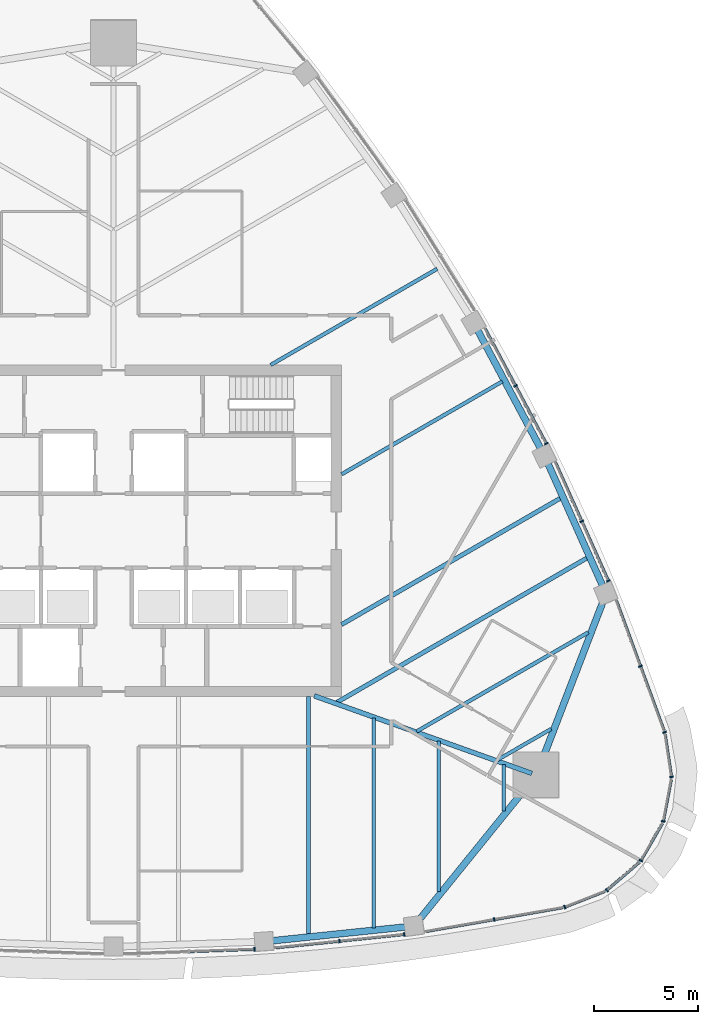
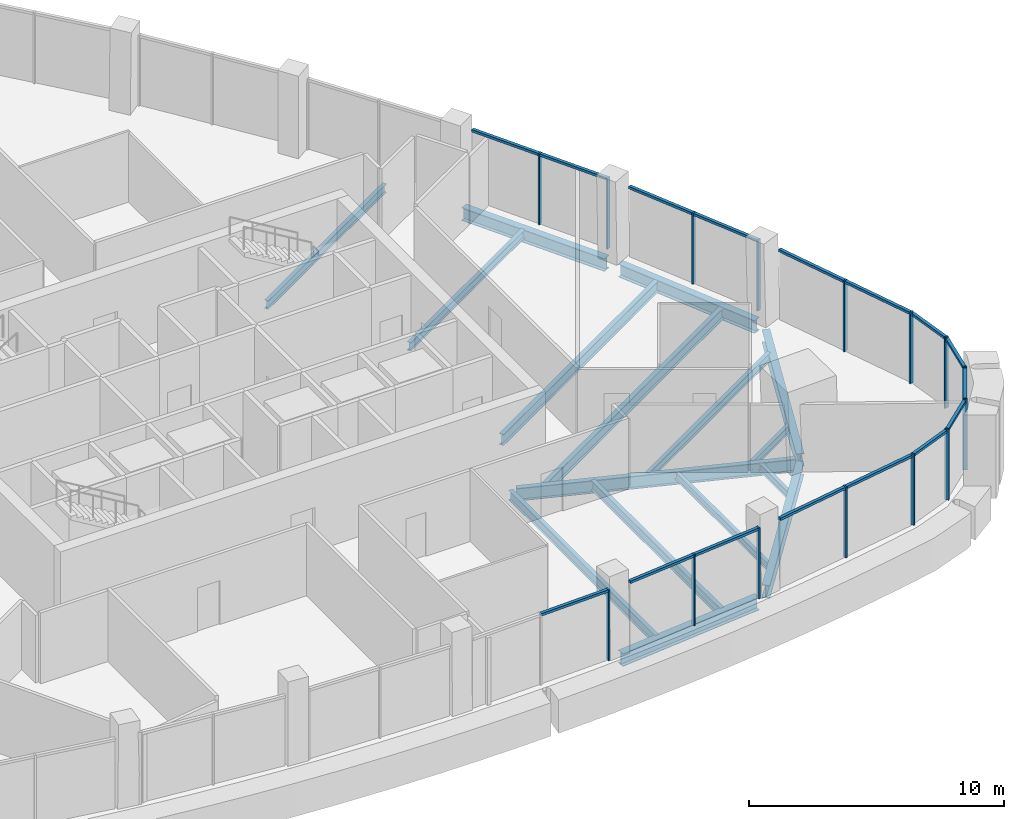
# One storey, part 4 of 15: 31 members, 16 beams, 11 elements without a shape of their own.
"""IFC4 building model written with IfcOpenShell, lengths in metres."""

from ifc_helpers import new_model, si_unit, direction, frame, origin, origin_2d, place, context, subcontext, project, spatial, rectangle, i_section, extrude, material, layer, layer_set, material_profile, profile_set, type_object, element, aggregate, save


model = new_model("IFC4")

# Units and contexts
model_context = context("Model", 3, precision=1e-05, world=origin(), true_north=direction((0.0, 1.0)))
body_context = subcontext(model_context, "Body", "Model", "MODEL_VIEW")
ifc_project = project(units=[si_unit("LENGTHUNIT", "METRE"), si_unit("AREAUNIT", "SQUARE_METRE"), si_unit("VOLUMEUNIT", "CUBIC_METRE"), si_unit("PLANEANGLEUNIT", "RADIAN"), si_unit("MASSUNIT", "GRAM", prefix="KILO")], contexts=[model_context])

# Site, building, storey
site_placement = place(None, origin())
site = spatial("IfcSite", under=ifc_project, at=site_placement, CompositionType="ELEMENT")
building_placement = place(site_placement, origin())
building = spatial("IfcBuilding", under=site, at=building_placement, Name="Sierra Prisma Convention Tower", CompositionType="ELEMENT")
storey_placement = place(building_placement, frame((0.0, 0.0, 299.0)))
storey = spatial("IfcBuildingStorey", under=building, at=storey_placement, Name="L68", CompositionType="ELEMENT", Elevation=299.0)

# Curtain wall, member
ifc_material_1 = material(Name="Aluminium and glass curtain wall", Category="aluminium")
ifc_layer = layer(ifc_material_1, 0.179931640625)
ifc_layer_set = layer_set([ifc_layer], Name="CW-1 Plain shaft curtain wall")
curtain_wall_type = type_object("IfcCurtainWallType", Name="CW-1 Plain shaft curtain wall", PredefinedType="NOTDEFINED", material=ifc_layer_set)
curtain_wall_1_placement = place(storey_placement, origin())
curtain_wall_1 = element("IfcCurtainWall", 1, at=curtain_wall_1_placement, inside=storey, type_object=curtain_wall_type, Name="CW-1 S4 L68", PredefinedType="NOTDEFINED")
ifc_material_2 = material(Name="Aluminium 6063-T6 bronze anodised", Category="aluminium")
ifc_material_profile_1 = material_profile(ifc_material_2, rectangle(XDim=0.179931640625, YDim=0.070068359375, at=origin_2d()), Name="ALU MULLION 70x180")
ifc_profile_set_1 = profile_set([ifc_material_profile_1], Name="Aluminium 6063-T6 bronze anodised")
member_type_1 = type_object("IfcMemberType", Name="CW mullion bronze", PredefinedType="MULLION", material=ifc_profile_set_1)
member_1_placement = place(storey_placement, frame((6.795654296875, -20.181396484375, 0.0), z_axis=(0.0, 0.0, 1.0), x_axis=(-0.034449276447, 0.999406447524, 0.0)))
member_1 = element("IfcMember", 2, at=member_1_placement, type_object=member_type_1, Name="CW-1 mullion S4.3", PredefinedType="MULLION", context=body_context, shape_type="SweptSolid", body=[
    extrude(rectangle(XDim=0.179931640625, YDim=0.070068359375, at=origin_2d()), origin(), (0.0, 0.0, 1.0), 3.39990234375),
])

# Curtain wall, members
curtain_wall_2_placement = place(storey_placement, origin())
curtain_wall_2 = element("IfcCurtainWall", 3, at=curtain_wall_2_placement, inside=storey, type_object=curtain_wall_type, Name="CW-1 S5 L68", PredefinedType="NOTDEFINED")
member_2_placement = place(storey_placement, frame((10.8994140625, -19.7900390625, 0.0), z_axis=(0.0, 0.0, 1.0), x_axis=(-0.103184298277, 0.994662254531, 0.0)))
member_2 = element("IfcMember", 4, at=member_2_placement, type_object=member_type_1, Name="CW-1 mullion S5.2", PredefinedType="MULLION", context=body_context, shape_type="SweptSolid", body=[
    extrude(rectangle(XDim=0.179931640625, YDim=0.070068359375, at=origin_2d()), origin(), (0.0, 0.0, 1.0), 3.39990234375),
])
member_3_placement = place(storey_placement, frame((14.024169921875, -19.466064453125, 0.0), z_axis=(0.0, 0.0, 1.0), x_axis=(-0.103184298277, 0.994662254531, 0.0)))
member_3 = element("IfcMember", 5, at=member_3_placement, type_object=member_type_1, Name="CW-1 mullion S5.3", PredefinedType="MULLION", context=body_context, shape_type="SweptSolid", body=[
    extrude(rectangle(XDim=0.179931640625, YDim=0.070068359375, at=origin_2d()), origin(), (0.0, 0.0, 1.0), 3.39990234375),
])

# Curtain wall, member
curtain_wall_3_placement = place(storey_placement, origin())
curtain_wall_3 = element("IfcCurtainWall", 6, at=curtain_wall_3_placement, inside=storey, type_object=curtain_wall_type, Name="CW-1 S6 L68", PredefinedType="NOTDEFINED")
member_4_placement = place(storey_placement, frame((18.3662109375, -18.74755859375, 0.0), z_axis=(0.0, 0.0, 1.0), x_axis=(-0.17142950315, 0.98519638928, 0.0)))
member_4 = element("IfcMember", 7, at=member_4_placement, type_object=member_type_1, Name="CW-1 mullion S6.2", PredefinedType="MULLION", context=body_context, shape_type="SweptSolid", body=[
    extrude(rectangle(XDim=0.179931640625, YDim=0.070068359375, at=origin_2d()), origin(), (0.0, 0.0, 1.0), 3.39990234375),
])

curtain_wall_4_placement = place(storey_placement, origin())
curtain_wall_4 = element("IfcCurtainWall", 8, at=curtain_wall_4_placement, inside=storey, type_object=curtain_wall_type, Name="CW-1 SE1 L68", PredefinedType="NOTDEFINED")
member_5_placement = place(storey_placement, frame((21.771240234375, -18.147705078125, 0.0), z_axis=(0.0, 0.0, 1.0), x_axis=(-0.366113184434, 0.930570328446, 0.0)))
member_5 = element("IfcMember", 9, at=member_5_placement, type_object=member_type_1, Name="CW-1 mullion SE1.1", PredefinedType="MULLION", context=body_context, shape_type="SweptSolid", body=[
    extrude(rectangle(XDim=0.179931640625, YDim=0.070068359375, at=origin_2d()), origin(), (0.0, 0.0, 1.0), 3.39990234375),
])

curtain_wall_5_placement = place(storey_placement, origin())
curtain_wall_5 = element("IfcCurtainWall", 10, at=curtain_wall_5_placement, inside=storey, type_object=curtain_wall_type, Name="CW-1 SE2 L68", PredefinedType="NOTDEFINED")
member_6_placement = place(storey_placement, frame((23.7958984375, -17.3388671875, 0.0), z_axis=(0.0, 0.0, 1.0), x_axis=(-0.652601775265, 0.757701077551, 0.0)))
member_6 = element("IfcMember", 11, at=member_6_placement, type_object=member_type_1, Name="CW-1 mullion SE2.1", PredefinedType="MULLION", context=body_context, shape_type="SweptSolid", body=[
    extrude(rectangle(XDim=0.179931640625, YDim=0.070068359375, at=origin_2d()), origin(), (0.0, 0.0, 1.0), 3.39990234375),
])

curtain_wall_6_placement = place(storey_placement, origin())
curtain_wall_6 = element("IfcCurtainWall", 12, at=curtain_wall_6_placement, inside=storey, type_object=curtain_wall_type, Name="CW-1 SE3 L68", PredefinedType="NOTDEFINED")
member_7_placement = place(storey_placement, frame((25.440185546875, -15.9072265625, 0.0), z_axis=(0.0, 0.0, 1.0), x_axis=(-0.866025403784, 0.5, 0.0)))
member_7 = element("IfcMember", 13, at=member_7_placement, type_object=member_type_1, Name="CW-1 mullion SE3.1", PredefinedType="MULLION", context=body_context, shape_type="SweptSolid", body=[
    extrude(rectangle(XDim=0.179931640625, YDim=0.070068359375, at=origin_2d()), origin(), (0.0, 0.0, 1.0), 3.39990234375),
])

curtain_wall_7_placement = place(storey_placement, origin())
curtain_wall_7 = element("IfcCurtainWall", 14, at=curtain_wall_7_placement, inside=storey, type_object=curtain_wall_type, Name="CW-1 SE4 L68", PredefinedType="NOTDEFINED")
member_8_placement = place(storey_placement, frame((26.520263671875, -14.013427734375, 0.0), z_axis=(0.0, 0.0, 1.0), x_axis=(-0.982489269266, 0.186319177159, 0.0)))
member_8 = element("IfcMember", 15, at=member_8_placement, type_object=member_type_1, Name="CW-1 mullion SE4.1", PredefinedType="MULLION", context=body_context, shape_type="SweptSolid", body=[
    extrude(rectangle(XDim=0.179931640625, YDim=0.070068359375, at=origin_2d()), origin(), (0.0, 0.0, 1.0), 3.39990234375),
])

curtain_wall_8_placement = place(storey_placement, origin())
curtain_wall_8 = element("IfcCurtainWall", 16, at=curtain_wall_8_placement, inside=storey, type_object=curtain_wall_type, Name="CW-1 SE5 L68", PredefinedType="NOTDEFINED")
member_9_placement = place(storey_placement, frame((26.9150390625, -11.869384765625, 0.0), z_axis=(0.0, 0.0, 1.0), x_axis=(-0.988954136659, -0.148221845843, 0.0)))
member_9 = element("IfcMember", 17, at=member_9_placement, type_object=member_type_1, Name="CW-1 mullion SE5.1", PredefinedType="MULLION", context=body_context, shape_type="SweptSolid", body=[
    extrude(rectangle(XDim=0.179931640625, YDim=0.070068359375, at=origin_2d()), origin(), (0.0, 0.0, 1.0), 3.39990234375),
])

# Curtain wall, members
curtain_wall_9_placement = place(storey_placement, origin())
curtain_wall_9 = element("IfcCurtainWall", 18, at=curtain_wall_9_placement, inside=storey, type_object=curtain_wall_type, Name="CW-1 NE1 L68", PredefinedType="NOTDEFINED")
member_10_placement = place(storey_placement, frame((26.5849609375, -9.713134765625, 0.0), z_axis=(0.0, 0.0, 1.0), x_axis=(-0.938919852408, -0.344135889954, 0.0)))
member_10 = element("IfcMember", 19, at=member_10_placement, type_object=member_type_1, Name="CW-1 mullion NE1.1", PredefinedType="MULLION", context=body_context, shape_type="SweptSolid", body=[
    extrude(rectangle(XDim=0.179931640625, YDim=0.070068359375, at=origin_2d()), origin(), (0.0, 0.0, 1.0), 3.39990234375),
])
member_11_placement = place(storey_placement, frame((25.418701171875, -6.53173828125, 0.0), z_axis=(0.0, 0.0, 1.0), x_axis=(-0.938919852408, -0.344135889954, 0.0)))
member_11 = element("IfcMember", 20, at=member_11_placement, type_object=member_type_1, Name="CW-1 mullion NE1.2", PredefinedType="MULLION", context=body_context, shape_type="SweptSolid", body=[
    extrude(rectangle(XDim=0.179931640625, YDim=0.070068359375, at=origin_2d()), origin(), (0.0, 0.0, 1.0), 3.39990234375),
])

curtain_wall_10_placement = place(storey_placement, origin())
curtain_wall_10 = element("IfcCurtainWall", 21, at=curtain_wall_10_placement, inside=storey, type_object=curtain_wall_type, Name="CW-1 NE2 L68", PredefinedType="NOTDEFINED")
member_12_placement = place(storey_placement, frame((23.870361328125, -2.41259765625, 0.0), z_axis=(0.0, 0.0, 1.0), x_axis=(-0.912994929748, -0.407970903686, 0.0)))
member_12 = element("IfcMember", 22, at=member_12_placement, type_object=member_type_1, Name="CW-1 mullion NE2.1", PredefinedType="MULLION", context=body_context, shape_type="SweptSolid", body=[
    extrude(rectangle(XDim=0.179931640625, YDim=0.070068359375, at=origin_2d()), origin(), (0.0, 0.0, 1.0), 3.39990234375),
])
member_13_placement = place(storey_placement, frame((22.588623046875, 0.455810546875, 0.0), z_axis=(0.0, 0.0, 1.0), x_axis=(-0.912994929748, -0.407970903686, 0.0)))
member_13 = element("IfcMember", 23, at=member_13_placement, type_object=member_type_1, Name="CW-1 mullion NE2.2", PredefinedType="MULLION", context=body_context, shape_type="SweptSolid", body=[
    extrude(rectangle(XDim=0.179931640625, YDim=0.070068359375, at=origin_2d()), origin(), (0.0, 0.0, 1.0), 3.39990234375),
])

curtain_wall_11_placement = place(storey_placement, origin())
curtain_wall_11 = element("IfcCurtainWall", 24, at=curtain_wall_11_placement, inside=storey, type_object=curtain_wall_type, Name="CW-1 NE3 L68", PredefinedType="NOTDEFINED")
member_14_placement = place(storey_placement, frame((20.87548828125, 4.20556640625, 0.0), z_axis=(0.0, 0.0, 1.0), x_axis=(-0.882736010485, -0.469869275217, 0.0)))
member_14 = element("IfcMember", 25, at=member_14_placement, type_object=member_type_1, Name="CW-1 mullion NE3.1", PredefinedType="MULLION", context=body_context, shape_type="SweptSolid", body=[
    extrude(rectangle(XDim=0.179931640625, YDim=0.070068359375, at=origin_2d()), origin(), (0.0, 0.0, 1.0), 3.39990234375),
])
member_15_placement = place(storey_placement, frame((19.39208984375, 6.99267578125, 0.0), z_axis=(0.0, 0.0, 1.0), x_axis=(-0.882736010485, -0.469869275217, 0.0)))
member_15 = element("IfcMember", 26, at=member_15_placement, type_object=member_type_1, Name="CW-1 mullion NE3.2", PredefinedType="MULLION", context=body_context, shape_type="SweptSolid", body=[
    extrude(rectangle(XDim=0.179931640625, YDim=0.070068359375, at=origin_2d()), origin(), (0.0, 0.0, 1.0), 3.39990234375),
])

# Member
ifc_material_3 = material(Name="Aluminium 6063-T6 bronze anodised", Category="aluminium")
ifc_material_profile_2 = material_profile(ifc_material_3, rectangle(XDim=0.139892578125, YDim=0.1201171875, at=origin_2d()), Name="ALU TRANSOM 120x140")
ifc_profile_set_2 = profile_set([ifc_material_profile_2], Name="Aluminium 6063-T6 bronze anodised")
member_type_2 = type_object("IfcMemberType", Name="CW transom bronze", PredefinedType="USERDEFINED", material=ifc_profile_set_2)
member_16_placement = place(storey_placement, frame((3.675048828125, -20.2890625, 3.340087890625), z_axis=(0.999405435709, 0.034478617659, 0.0), x_axis=(-0.034478617659, 0.999405435709, 0.0)))
member_16 = element("IfcMember", 27, at=member_16_placement, type_object=member_type_2, Name="CW-1 transom S4.2", ObjectType="TRANSOM", PredefinedType="USERDEFINED", context=body_context, shape_type="SweptSolid", body=[
    extrude(rectangle(XDim=0.139892578125, YDim=0.1201171875, at=origin_2d()), origin(), (0.0, 0.0, 1.0), 3.08740234375),
])

aggregate(curtain_wall_1, [member_1, member_16])

member_17_placement = place(storey_placement, frame((7.8095703125, -20.110595703125, 3.340087890625), z_axis=(0.994663703658, 0.10317032822, 0.0), x_axis=(-0.10317032822, 0.994663703658, 0.0)))
member_17 = element("IfcMember", 28, at=member_17_placement, type_object=member_type_2, Name="CW-1 transom S5.1", ObjectType="TRANSOM", PredefinedType="USERDEFINED", context=body_context, shape_type="SweptSolid", body=[
    extrude(rectangle(XDim=0.139892578125, YDim=0.1201171875, at=origin_2d()), origin(), (0.0, 0.0, 1.0), 3.071533203125),
])

member_18_placement = place(storey_placement, frame((10.934326171875, -19.78662109375, 3.340087890625), z_axis=(0.99466285752, 0.1031784855, 0.0), x_axis=(-0.1031784855, 0.99466285752, 0.0)))
member_18 = element("IfcMember", 29, at=member_18_placement, type_object=member_type_2, Name="CW-1 transom S5.2", ObjectType="TRANSOM", PredefinedType="USERDEFINED", context=body_context, shape_type="SweptSolid", body=[
    extrude(rectangle(XDim=0.139892578125, YDim=0.1201171875, at=origin_2d()), origin(), (0.0, 0.0, 1.0), 3.0712890625),
])

aggregate(curtain_wall_2, [member_2, member_3, member_17, member_18])

member_19_placement = place(storey_placement, frame((15.0625, -19.322265625, 3.340087890625), z_axis=(0.985195549983, 0.171434326472, 0.0), x_axis=(-0.171434326472, 0.985195549983, 0.0)))
member_19 = element("IfcMember", 30, at=member_19_placement, type_object=member_type_2, Name="CW-1 transom S6.1", ObjectType="TRANSOM", PredefinedType="USERDEFINED", context=body_context, shape_type="SweptSolid", body=[
    extrude(rectangle(XDim=0.139892578125, YDim=0.1201171875, at=origin_2d()), origin(), (0.0, 0.0, 1.0), 3.318115234375),
])

member_20_placement = place(storey_placement, frame((18.400634765625, -18.741455078125, 3.340087890625), z_axis=(0.985195549983, 0.171434326472, 0.0), x_axis=(-0.171434326472, 0.985195549983, 0.0)))
member_20 = element("IfcMember", 31, at=member_20_placement, type_object=member_type_2, Name="CW-1 transom S6.2", ObjectType="TRANSOM", PredefinedType="USERDEFINED", context=body_context, shape_type="SweptSolid", body=[
    extrude(rectangle(XDim=0.139892578125, YDim=0.1201171875, at=origin_2d()), origin(), (0.0, 0.0, 1.0), 3.318115234375),
])

aggregate(curtain_wall_3, [member_4, member_19, member_20])

member_21_placement = place(storey_placement, frame((21.803955078125, -18.135009765625, 3.340087890625), z_axis=(0.930531891149, 0.366210867608, 0.0), x_axis=(-0.366210867608, 0.930531891149, 0.0)))
member_21 = element("IfcMember", 32, at=member_21_placement, type_object=member_type_2, Name="CW-1 transom SE1.1", ObjectType="TRANSOM", PredefinedType="USERDEFINED", context=body_context, shape_type="SweptSolid", body=[
    extrude(rectangle(XDim=0.139892578125, YDim=0.1201171875, at=origin_2d()), origin(), (0.0, 0.0, 1.0), 2.0419921875),
])

aggregate(curtain_wall_4, [member_5, member_21])

member_22_placement = place(storey_placement, frame((23.822509765625, -17.31591796875, 3.340087890625), z_axis=(0.75770146525, 0.652601325128, 0.0), x_axis=(-0.652601325128, 0.75770146525, 0.0)))
member_22 = element("IfcMember", 33, at=member_22_placement, type_object=member_type_2, Name="CW-1 transom SE2.1", ObjectType="TRANSOM", PredefinedType="USERDEFINED", context=body_context, shape_type="SweptSolid", body=[
    extrude(rectangle(XDim=0.139892578125, YDim=0.1201171875, at=origin_2d()), origin(), (0.0, 0.0, 1.0), 2.041748046875),
])

aggregate(curtain_wall_5, [member_6, member_22])

member_23_placement = place(storey_placement, frame((25.457763671875, -15.876953125, 3.340087890625), z_axis=(0.500022597718, 0.866012356593, 0.0), x_axis=(-0.866012356593, 0.500022597718, 0.0)))
member_23 = element("IfcMember", 34, at=member_23_placement, type_object=member_type_2, Name="CW-1 transom SE3.1", ObjectType="TRANSOM", PredefinedType="USERDEFINED", context=body_context, shape_type="SweptSolid", body=[
    extrude(rectangle(XDim=0.139892578125, YDim=0.1201171875, at=origin_2d()), origin(), (0.0, 0.0, 1.0), 2.0419921875),
])

aggregate(curtain_wall_6, [member_7, member_23])

member_24_placement = place(storey_placement, frame((26.52685546875, -13.97900390625, 3.340087890625), z_axis=(0.186287882089, 0.982495203544, 0.0), x_axis=(-0.982495203544, 0.186287882089, 0.0)))
member_24 = element("IfcMember", 35, at=member_24_placement, type_object=member_type_2, Name="CW-1 transom SE4.1", ObjectType="TRANSOM", PredefinedType="USERDEFINED", context=body_context, shape_type="SweptSolid", body=[
    extrude(rectangle(XDim=0.139892578125, YDim=0.1201171875, at=origin_2d()), origin(), (0.0, 0.0, 1.0), 2.041748046875),
])

aggregate(curtain_wall_7, [member_8, member_24])

member_25_placement = place(storey_placement, frame((26.909912109375, -11.834716796875, 3.340087890625), z_axis=(-0.148246913714, 0.988950379228, 0.0), x_axis=(-0.988950379228, -0.148246913714, 0.0)))
member_25 = element("IfcMember", 36, at=member_25_placement, type_object=member_type_2, Name="CW-1 transom SE5.1", ObjectType="TRANSOM", PredefinedType="USERDEFINED", context=body_context, shape_type="SweptSolid", body=[
    extrude(rectangle(XDim=0.139892578125, YDim=0.1201171875, at=origin_2d()), origin(), (0.0, 0.0, 1.0), 2.0419921875),
])

aggregate(curtain_wall_8, [member_9, member_25])

member_26_placement = place(storey_placement, frame((26.57275390625, -9.680419921875, 3.340087890625), z_axis=(-0.344098996248, 0.938933373984, 0.0), x_axis=(-0.938933373984, -0.344098996248, 0.0)))
member_26 = element("IfcMember", 37, at=member_26_placement, type_object=member_type_2, Name="CW-1 transom NE1.1", ObjectType="TRANSOM", PredefinedType="USERDEFINED", context=body_context, shape_type="SweptSolid", body=[
    extrude(rectangle(XDim=0.139892578125, YDim=0.1201171875, at=origin_2d()), origin(), (0.0, 0.0, 1.0), 3.318359375),
])

member_27_placement = place(storey_placement, frame((25.40673828125, -6.4990234375, 3.340087890625), z_axis=(-0.344098996248, 0.938933373984, 0.0), x_axis=(-0.938933373984, -0.344098996248, 0.0)))
member_27 = element("IfcMember", 38, at=member_27_placement, type_object=member_type_2, Name="CW-1 transom NE1.2", ObjectType="TRANSOM", PredefinedType="USERDEFINED", context=body_context, shape_type="SweptSolid", body=[
    extrude(rectangle(XDim=0.139892578125, YDim=0.1201171875, at=origin_2d()), origin(), (0.0, 0.0, 1.0), 3.318359375),
])

aggregate(curtain_wall_9, [member_10, member_11, member_26, member_27])

member_28_placement = place(storey_placement, frame((23.85595703125, -2.380615234375, 3.340087890625), z_axis=(-0.40797389365, 0.91299359368, 0.0), x_axis=(-0.91299359368, -0.40797389365, 0.0)))
member_28 = element("IfcMember", 39, at=member_28_placement, type_object=member_type_2, Name="CW-1 transom NE2.1", ObjectType="TRANSOM", PredefinedType="USERDEFINED", context=body_context, shape_type="SweptSolid", body=[
    extrude(rectangle(XDim=0.139892578125, YDim=0.1201171875, at=origin_2d()), origin(), (0.0, 0.0, 1.0), 3.07177734375),
])

member_29_placement = place(storey_placement, frame((22.57421875, 0.48779296875, 3.340087890625), z_axis=(-0.408003500321, 0.912980363275, 0.0), x_axis=(-0.912980363275, -0.408003500321, 0.0)))
member_29 = element("IfcMember", 40, at=member_29_placement, type_object=member_type_2, Name="CW-1 transom NE2.2", ObjectType="TRANSOM", PredefinedType="USERDEFINED", context=body_context, shape_type="SweptSolid", body=[
    extrude(rectangle(XDim=0.139892578125, YDim=0.1201171875, at=origin_2d()), origin(), (0.0, 0.0, 1.0), 3.071533203125),
])

aggregate(curtain_wall_10, [member_12, member_13, member_28, member_29])

member_30_placement = place(storey_placement, frame((20.859130859375, 4.236328125, 3.340087890625), z_axis=(-0.469873927992, 0.882733533856, 0.0), x_axis=(-0.882733533856, -0.469873927992, 0.0)))
member_30 = element("IfcMember", 41, at=member_30_placement, type_object=member_type_2, Name="CW-1 transom NE3.1", ObjectType="TRANSOM", PredefinedType="USERDEFINED", context=body_context, shape_type="SweptSolid", body=[
    extrude(rectangle(XDim=0.139892578125, YDim=0.1201171875, at=origin_2d()), origin(), (0.0, 0.0, 1.0), 3.08740234375),
])

member_31_placement = place(storey_placement, frame((19.37548828125, 7.0234375, 3.340087890625), z_axis=(-0.469873927992, 0.882733533856, 0.0), x_axis=(-0.882733533856, -0.469873927992, 0.0)))
member_31 = element("IfcMember", 42, at=member_31_placement, type_object=member_type_2, Name="CW-1 transom NE3.2", ObjectType="TRANSOM", PredefinedType="USERDEFINED", context=body_context, shape_type="SweptSolid", body=[
    extrude(rectangle(XDim=0.139892578125, YDim=0.1201171875, at=origin_2d()), origin(), (0.0, 0.0, 1.0), 3.08740234375),
])

aggregate(curtain_wall_11, [member_14, member_15, member_30, member_31])

# Beams
ifc_material_4 = material(Name="Steel ASTM A992 Gr 50", Category="steel")
ifc_material_profile_3 = material_profile(ifc_material_4, i_section(OverallWidth=0.172119140625, OverallDepth=0.35791015625, WebThickness=0.0078125, FlangeThickness=0.01318359375, at=origin_2d()), Name="W360x57")
ifc_profile_set_3 = profile_set([ifc_material_profile_3], Name="Steel ASTM A992 Gr 50")
beam_type_1 = type_object("IfcBeamType", Name="Floor joist W360x57", PredefinedType="JOIST", material=ifc_profile_set_3)
beam_1_placement = place(storey_placement, frame((15.6923828125, -17.3857421875, -0.3291015625), z_axis=(0.0, 1.0, 0.0), x_axis=(-1.0, 0.0, 0.0)))
element("IfcBeam", 43, at=beam_1_placement, inside=storey, type_object=beam_type_1, Name="Floor joist L68 S12", PredefinedType="JOIST", context=body_context, shape_type="SweptSolid", body=[
    extrude(i_section(OverallWidth=0.172119140625, OverallDepth=0.35791015625, WebThickness=0.0078125, FlangeThickness=0.01318359375, at=origin_2d()), origin(), (0.0, 0.0, 1.0), 7.23681640625),
])
beam_2_placement = place(storey_placement, frame((18.830810546875, -13.508544921875, -0.3291015625), z_axis=(0.0, 1.0, 0.0), x_axis=(-1.0, 0.0, 0.0)))
element("IfcBeam", 44, at=beam_2_placement, inside=storey, type_object=beam_type_1, Name="Floor joist L68 S13", PredefinedType="JOIST", context=body_context, shape_type="SweptSolid", body=[
    extrude(i_section(OverallWidth=0.172119140625, OverallDepth=0.35791015625, WebThickness=0.0078125, FlangeThickness=0.01318359375, at=origin_2d()), origin(), (0.0, 0.0, 1.0), 2.240966796875),
])
beam_3_placement = place(storey_placement, frame((21.114013671875, -9.5537109375, -0.3291015625), z_axis=(-0.866004263386, -0.500036614457, 0.0), x_axis=(0.500036614457, -0.866004263386, 0.0)))
element("IfcBeam", 45, at=beam_3_placement, inside=storey, type_object=beam_type_1, Name="Floor joist L68 NE01", PredefinedType="JOIST", context=body_context, shape_type="SweptSolid", body=[
    extrude(i_section(OverallWidth=0.172119140625, OverallDepth=0.35791015625, WebThickness=0.0078125, FlangeThickness=0.01318359375, at=origin_2d()), origin(), (0.0, 0.0, 1.0), 3.004638671875),
])
ifc_material_5 = material(Name="Steel ASTM A992 Gr 50", Category="steel")
ifc_material_profile_4 = material_profile(ifc_material_5, i_section(OverallWidth=0.177978515625, OverallDepth=0.406982421875, WebThickness=0.0078125, FlangeThickness=0.0126953125, at=origin_2d()), Name="W410x60")
ifc_profile_set_4 = profile_set([ifc_material_profile_4], Name="Steel ASTM A992 Gr 50")
beam_type_2 = type_object("IfcBeamType", Name="Floor joist W410x60", PredefinedType="JOIST", material=ifc_profile_set_4)
beam_4_placement = place(storey_placement, frame((22.90283203125, -4.897216796875, -0.353515625), z_axis=(-0.866034056795, -0.499985012247, 0.0), x_axis=(0.499985012247, -0.866034056795, 0.0)))
element("IfcBeam", 46, at=beam_4_placement, inside=storey, type_object=beam_type_2, Name="Floor joist L68 NE02", PredefinedType="JOIST", context=body_context, shape_type="SweptSolid", body=[
    extrude(i_section(OverallWidth=0.177978515625, OverallDepth=0.406982421875, WebThickness=0.0078125, FlangeThickness=0.0126953125, at=origin_2d()), origin(), (0.0, 0.0, 1.0), 9.551513671875),
])
beam_5_placement = place(storey_placement, frame((18.75537109375, 7.20458984375, -0.353515625), z_axis=(-0.86601488128, -0.500018225069, 0.0), x_axis=(0.500018225069, -0.86601488128, 0.0)))
element("IfcBeam", 47, at=beam_5_placement, inside=storey, type_object=beam_type_2, Name="Floor joist L68 NE06", PredefinedType="JOIST", context=body_context, shape_type="SweptSolid", body=[
    extrude(i_section(OverallWidth=0.177978515625, OverallDepth=0.406982421875, WebThickness=0.0078125, FlangeThickness=0.0126953125, at=origin_2d()), origin(), (0.0, 0.0, 1.0), 8.955322265625),
])
beam_6_placement = place(storey_placement, frame((15.616943359375, 12.640380859375, -0.353515625), z_axis=(-0.866031390212, -0.49998963106, 0.0), x_axis=(0.49998963106, -0.866031390212, 0.0)))
element("IfcBeam", 48, at=beam_6_placement, inside=storey, type_object=beam_type_2, Name="Floor joist L68 NE08", PredefinedType="JOIST", context=body_context, shape_type="SweptSolid", body=[
    extrude(i_section(OverallWidth=0.177978515625, OverallDepth=0.406982421875, WebThickness=0.0078125, FlangeThickness=0.0126953125, at=origin_2d()), origin(), (0.0, 0.0, 1.0), 9.281005859375),
])
ifc_material_6 = material(Name="Steel ASTM A992 Gr 50", Category="steel")
ifc_material_profile_5 = material_profile(ifc_material_6, i_section(OverallWidth=0.18994140625, OverallDepth=0.45703125, WebThickness=0.009033203125, FlangeThickness=0.014404296875, at=origin_2d()), Name="W460x74")
ifc_profile_set_5 = profile_set([ifc_material_profile_5], Name="Steel ASTM A992 Gr 50")
beam_type_3 = type_object("IfcBeamType", Name="Floor joist W460x74", PredefinedType="JOIST", material=ifc_profile_set_5)
beam_7_placement = place(storey_placement, frame((9.41552734375, -19.47900390625, -0.37841796875), z_axis=(0.0, 1.0, 0.0), x_axis=(-1.0, 0.0, 0.0)))
element("IfcBeam", 49, at=beam_7_placement, inside=storey, type_object=beam_type_3, Name="Floor joist L68 S10", PredefinedType="JOIST", context=body_context, shape_type="SweptSolid", body=[
    extrude(i_section(OverallWidth=0.18994140625, OverallDepth=0.45703125, WebThickness=0.009033203125, FlangeThickness=0.014404296875, at=origin_2d()), origin(), (0.0, 0.0, 1.0), 11.47900390625),
])
beam_8_placement = place(storey_placement, frame((12.553955078125, -19.153564453125, -0.37841796875), z_axis=(0.0, 1.0, 0.0), x_axis=(-1.0, 0.0, 0.0)))
element("IfcBeam", 50, at=beam_8_placement, inside=storey, type_object=beam_type_3, Name="Floor joist L68 S11", PredefinedType="JOIST", context=body_context, shape_type="SweptSolid", body=[
    extrude(i_section(OverallWidth=0.18994140625, OverallDepth=0.45703125, WebThickness=0.009033203125, FlangeThickness=0.014404296875, at=origin_2d()), origin(), (0.0, 0.0, 1.0), 10.123291015625),
])
ifc_material_7 = material(Name="Steel ASTM A992 Gr 50", Category="steel")
ifc_material_profile_6 = material_profile(ifc_material_7, i_section(OverallWidth=0.208984375, OverallDepth=0.532958984375, WebThickness=0.01025390625, FlangeThickness=0.015625, at=origin_2d()), Name="W530x92")
ifc_profile_set_6 = profile_set([ifc_material_profile_6], Name="Steel ASTM A992 Gr 50")
beam_type_4 = type_object("IfcBeamType", Name="Floor joist W530x92", PredefinedType="JOIST", material=ifc_profile_set_6)
beam_9_placement = place(storey_placement, frame((22.864501953125, -1.295166015625, -0.41650390625), z_axis=(-0.866027482429, -0.499996399664, 0.0), x_axis=(0.499996399664, -0.866027482429, 0.0)))
element("IfcBeam", 51, at=beam_9_placement, inside=storey, type_object=beam_type_4, Name="Floor joist L68 NE03", PredefinedType="JOIST", context=body_context, shape_type="SweptSolid", body=[
    extrude(i_section(OverallWidth=0.208984375, OverallDepth=0.532958984375, WebThickness=0.01025390625, FlangeThickness=0.015625, at=origin_2d()), origin(), (0.0, 0.0, 1.0), 13.98876953125),
])
beam_10_placement = place(storey_placement, frame((21.5771484375, 1.58544921875, -0.41650390625), z_axis=(-0.866026468976, -0.499998155029, 0.0), x_axis=(0.499998155029, -0.866026468976, 0.0)))
element("IfcBeam", 52, at=beam_10_placement, inside=storey, type_object=beam_type_4, Name="Floor joist L68 NE04", PredefinedType="JOIST", context=body_context, shape_type="SweptSolid", body=[
    extrude(i_section(OverallWidth=0.208984375, OverallDepth=0.532958984375, WebThickness=0.01025390625, FlangeThickness=0.015625, at=origin_2d()), origin(), (0.0, 0.0, 1.0), 12.21337890625),
])
ifc_material_8 = material(Name="Steel ASTM A992 Gr 50", Category="steel")
ifc_material_profile_7 = material_profile(ifc_material_8, i_section(OverallWidth=0.22998046875, OverallDepth=0.616943359375, WebThickness=0.01318359375, FlangeThickness=0.022216796875, at=origin_2d()), Name="W610x140")
ifc_profile_set_7 = profile_set([ifc_material_profile_7], Name="Steel ASTM A992 Gr 50")
beam_type_5 = type_object("IfcBeamType", Name="Radial girder W610x140", PredefinedType="BEAM", material=ifc_profile_set_7)
beam_11_placement = place(storey_placement, frame((20.18017578125, -11.69970703125, -0.45849609375), z_axis=(-0.94195691379, 0.335733782279, 0.0), x_axis=(-0.335733782279, -0.94195691379, 0.0)))
element("IfcBeam", 53, at=beam_11_placement, inside=storey, type_object=beam_type_5, Name="Radial girder L68 SE", PredefinedType="BEAM", context=body_context, shape_type="SweptSolid", body=[
    extrude(i_section(OverallWidth=0.22998046875, OverallDepth=0.616943359375, WebThickness=0.01318359375, FlangeThickness=0.022216796875, at=origin_2d()), origin(), (0.0, 0.0, 1.0), 11.1396484375),
])
ifc_material_9 = material(Name="Steel ASTM A992 Gr 50", Category="steel")
ifc_material_profile_8 = material_profile(ifc_material_9, i_section(OverallWidth=0.324951171875, OverallDepth=0.615966796875, WebThickness=0.013916015625, FlangeThickness=0.021484375, at=origin_2d()), Name="W610x174")
ifc_profile_set_8 = profile_set([ifc_material_profile_8], Name="Steel ASTM A992 Gr 50")
beam_type_6 = type_object("IfcBeamType", Name="Spandrel beam W610x174", PredefinedType="BEAM", material=ifc_profile_set_8)
beam_12_placement = place(storey_placement, frame((7.596923828125, -19.781005859375, -0.4580078125), z_axis=(0.994664129982, 0.103166217951, 0.0), x_axis=(-0.103166217951, 0.994664129982, 0.0)))
element("IfcBeam", 54, at=beam_12_placement, inside=storey, type_object=beam_type_6, Name="Spandrel L68-05", PredefinedType="BEAM", context=body_context, shape_type="SweptSolid", body=[
    extrude(i_section(OverallWidth=0.324951171875, OverallDepth=0.615966796875, WebThickness=0.013916015625, FlangeThickness=0.021484375, at=origin_2d()), origin(), (0.0, 0.0, 1.0), 6.612060546875),
])
beam_13_placement = place(storey_placement, frame((14.814453125, -18.678955078125, -0.4580078125), z_axis=(0.629153286706, 0.777281250145, 0.0), x_axis=(-0.777281250145, 0.629153286706, 0.0)))
element("IfcBeam", 55, at=beam_13_placement, inside=storey, type_object=beam_type_6, Name="Spandrel L68-06", PredefinedType="BEAM", context=body_context, shape_type="SweptSolid", body=[
    extrude(i_section(OverallWidth=0.324951171875, OverallDepth=0.615966796875, WebThickness=0.013916015625, FlangeThickness=0.021484375, at=origin_2d()), origin(), (0.0, 0.0, 1.0), 8.59521484375),
])
beam_14_placement = place(storey_placement, frame((20.484619140625, -11.55810546875, -0.4580078125), z_axis=(0.358560700445, 0.933506413527, 0.0), x_axis=(-0.933506413527, 0.358560700445, 0.0)))
element("IfcBeam", 56, at=beam_14_placement, inside=storey, type_object=beam_type_6, Name="Spandrel L68-07", PredefinedType="BEAM", context=body_context, shape_type="SweptSolid", body=[
    extrude(i_section(OverallWidth=0.324951171875, OverallDepth=0.615966796875, WebThickness=0.013916015625, FlangeThickness=0.021484375, at=origin_2d()), origin(), (0.0, 0.0, 1.0), 8.642578125),
])
beam_15_placement = place(storey_placement, frame((23.626953125, -2.72509765625, -0.4580078125), z_axis=(-0.4079773903, 0.912992031183, 0.0), x_axis=(-0.912992031183, -0.4079773903, 0.0)))
element("IfcBeam", 57, at=beam_15_placement, inside=storey, type_object=beam_type_6, Name="Spandrel L68-08", PredefinedType="BEAM", context=body_context, shape_type="SweptSolid", body=[
    extrude(i_section(OverallWidth=0.324951171875, OverallDepth=0.615966796875, WebThickness=0.013916015625, FlangeThickness=0.021484375, at=origin_2d()), origin(), (0.0, 0.0, 1.0), 6.61181640625),
])
beam_16_placement = place(storey_placement, frame((20.639404296875, 3.904541015625, -0.4580078125), z_axis=(-0.469871355842, 0.882734902991, 0.0), x_axis=(-0.882734902991, -0.469871355842, 0.0)))
element("IfcBeam", 58, at=beam_16_placement, inside=storey, type_object=beam_type_6, Name="Spandrel L68-09", PredefinedType="BEAM", context=body_context, shape_type="SweptSolid", body=[
    extrude(i_section(OverallWidth=0.324951171875, OverallDepth=0.615966796875, WebThickness=0.013916015625, FlangeThickness=0.021484375, at=origin_2d()), origin(), (0.0, 0.0, 1.0), 6.6123046875),
])

save(model, "model.ifc")
